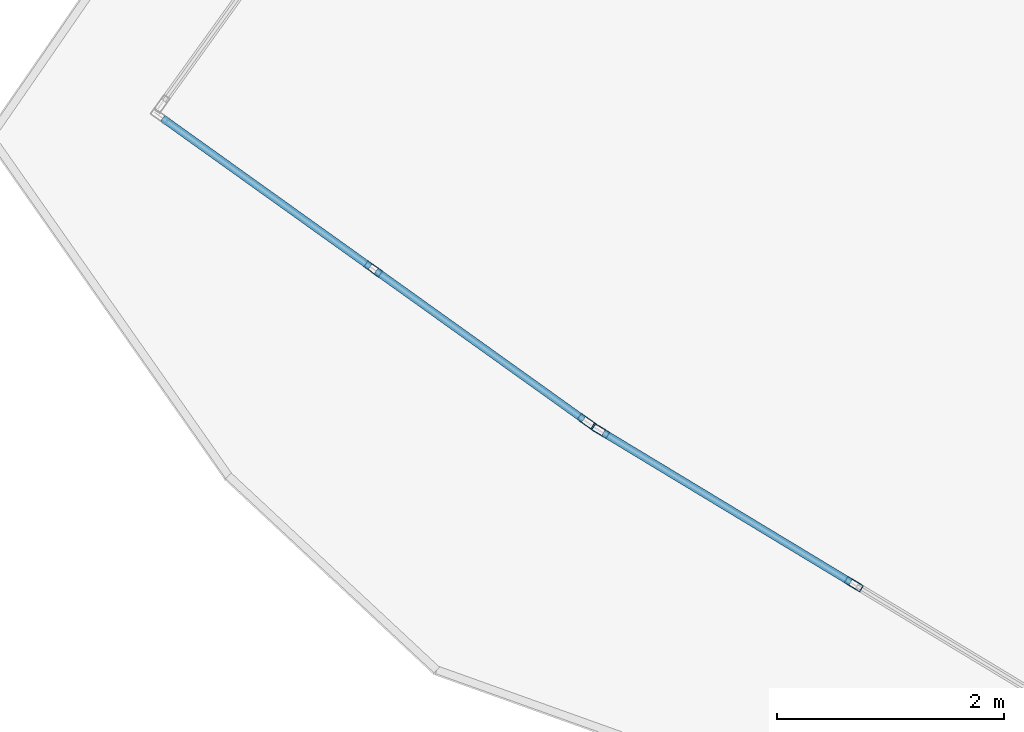
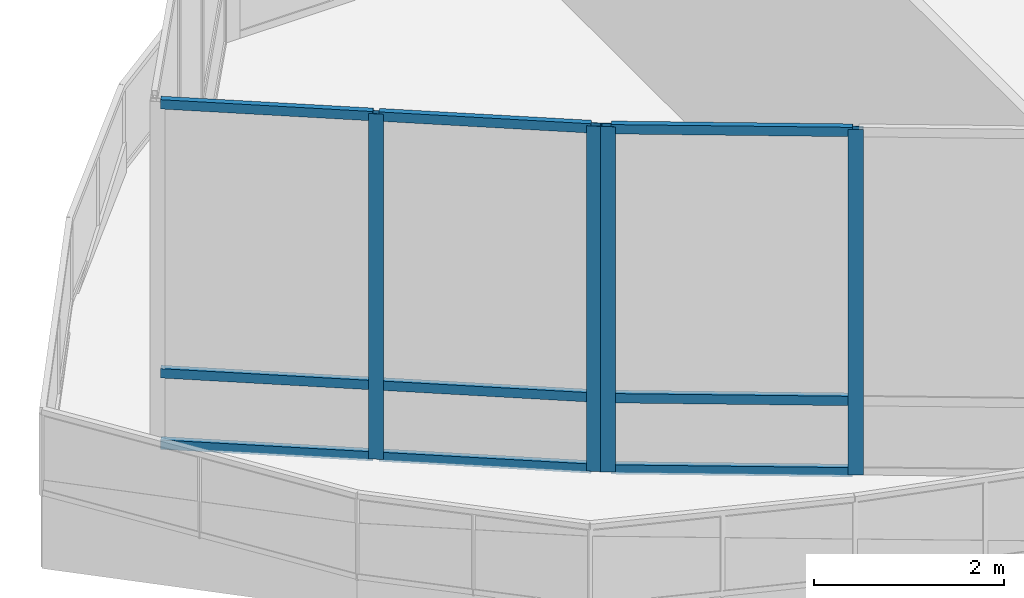
# One storey, part 13 of 168: 13 members, 2 elements without a shape of their own.
"""IFC4 building model written with IfcOpenShell, lengths in metres."""

from ifc_helpers import new_model, si_unit, direction, frame, origin, origin_2d, place, context, subcontext, project, spatial, hollow_rectangle, extrude, material, material_profile, profile_set, type_object, element, aggregate, save


model = new_model("IFC4")

# Units and contexts
model_context = context("Model", 3, precision=1e-05, world=origin(), true_north=direction((0.0, 1.0)))
body_context = subcontext(model_context, "Body", "Model", "MODEL_VIEW")
ifc_project = project(units=[si_unit("LENGTHUNIT", "METRE"), si_unit("AREAUNIT", "SQUARE_METRE"), si_unit("VOLUMEUNIT", "CUBIC_METRE"), si_unit("PLANEANGLEUNIT", "RADIAN"), si_unit("MASSUNIT", "GRAM", prefix="KILO")], contexts=[model_context])

# Site, building, storey
site_placement = place(None, origin())
site = spatial("IfcSite", under=ifc_project, at=site_placement, CompositionType="ELEMENT")
building_placement = place(site_placement, origin())
building = spatial("IfcBuilding", under=site, at=building_placement, Name="Selatvlak General Hospital", CompositionType="ELEMENT")
storey_placement = place(building_placement, frame((0.0, 0.0, 5.39990234375)))
storey = spatial("IfcBuildingStorey", under=building, at=storey_placement, Name="L01", CompositionType="ELEMENT", Elevation=5.39990234375)

# Curtain wall, members
ifc_material_1 = material(Name="Solar-control Low-E double glazing", Category="glass")
curtain_wall_type_1 = type_object("IfcCurtainWallType", Name="CW-CW-02", PredefinedType="USERDEFINED", material=ifc_material_1)
curtain_wall_1_placement = place(storey_placement, origin())
curtain_wall_1 = element("IfcCurtainWall", 1, at=curtain_wall_1_placement, inside=storey, type_object=curtain_wall_type_1, Name="Glazed facade curtain wall CW-L01-0182", ObjectType="UNITISED CURTAIN WALL", PredefinedType="USERDEFINED")
ifc_material_2 = material(Name="Dark anodised aluminium mullion", Category="aluminium")
ifc_material_profile_1 = material_profile(ifc_material_2, hollow_rectangle(XDim=0.06494140625, YDim=0.159912109375, WallThickness=0.00390625, at=origin_2d()), Name="AL-MUL 65x160x4")
ifc_profile_set_1 = profile_set([ifc_material_profile_1], Name="Dark anodised aluminium mullion")
member_type_1 = type_object("IfcMemberType", Name="CWM-01", PredefinedType="MULLION", material=ifc_profile_set_1)
member_1_placement = place(storey_placement, frame((21.075439453125, 21.799072265625, 0.0), z_axis=(0.0, 0.0, 1.0), x_axis=(-0.517412897815, -0.855735878163, 0.0)))
member_1 = element("IfcMember", 2, at=member_1_placement, type_object=member_type_1, Name="CW-02 mullion 2", PredefinedType="MULLION", context=body_context, shape_type="SweptSolid", body=[
    extrude(hollow_rectangle(XDim=0.06494140625, YDim=0.159912109375, WallThickness=0.00390625, at=origin_2d()), origin(), (0.0, 0.0, 1.0), 4.445068359375),
])
member_2_placement = place(storey_placement, frame((18.8408203125, 23.150146484375, 0.0), z_axis=(0.0, 0.0, 1.0), x_axis=(-0.517412897815, -0.855735878163, 0.0)))
member_2 = element("IfcMember", 3, at=member_2_placement, type_object=member_type_1, Name="CW-02 mullion 3", PredefinedType="MULLION", context=body_context, shape_type="SweptSolid", body=[
    extrude(hollow_rectangle(XDim=0.06494140625, YDim=0.159912109375, WallThickness=0.00390625, at=origin_2d()), origin(), (0.0, 0.0, 1.0), 4.445068359375),
])

curtain_wall_type_2 = type_object("IfcCurtainWallType", Name="CW-CW-01", PredefinedType="USERDEFINED", material=ifc_material_1)
curtain_wall_2_placement = place(storey_placement, origin())
curtain_wall_2 = element("IfcCurtainWall", 4, at=curtain_wall_2_placement, inside=storey, type_object=curtain_wall_type_2, Name="Glazed facade curtain wall CW-L01-0183", ObjectType="UNITISED CURTAIN WALL", PredefinedType="USERDEFINED")
member_3_placement = place(storey_placement, frame((18.720458984375, 23.23193359375, 0.0), z_axis=(0.0, 0.0, 1.0), x_axis=(-0.581802726189, -0.813329937847, 0.0)))
member_3 = element("IfcMember", 5, at=member_3_placement, type_object=member_type_1, Name="CW-01 mullion 1", PredefinedType="MULLION", context=body_context, shape_type="SweptSolid", body=[
    extrude(hollow_rectangle(XDim=0.06494140625, YDim=0.159912109375, WallThickness=0.00390625, at=origin_2d()), origin(), (0.0, 0.0, 1.0), 4.445068359375),
])
member_4_placement = place(storey_placement, frame((16.839599609375, 24.577392578125, 0.0), z_axis=(0.0, 0.0, 1.0), x_axis=(-0.581802726189, -0.813329937847, 0.0)))
member_4 = element("IfcMember", 6, at=member_4_placement, type_object=member_type_1, Name="CW-01 mullion 2", PredefinedType="MULLION", context=body_context, shape_type="SweptSolid", body=[
    extrude(hollow_rectangle(XDim=0.06494140625, YDim=0.159912109375, WallThickness=0.00390625, at=origin_2d()), origin(), (0.0, 0.0, 1.0), 4.445068359375),
])

# Member
ifc_material_profile_2 = material_profile(ifc_material_2, hollow_rectangle(XDim=0.06494140625, YDim=0.1201171875, WallThickness=0.00390625, at=origin_2d()), Name="AL-TRN 65x120x4")
ifc_profile_set_2 = profile_set([ifc_material_profile_2], Name="Dark anodised aluminium mullion")
member_type_2 = type_object("IfcMemberType", Name="CWT-01", PredefinedType="USERDEFINED", material=ifc_profile_set_2)
member_5_placement = place(storey_placement, frame((21.047607421875, 21.81591796875, 0.03271484375), z_axis=(-0.855753703596, 0.517383415642, 0.0), x_axis=(-0.517383415642, -0.855753703596, 0.0)))
member_5 = element("IfcMember", 7, at=member_5_placement, type_object=member_type_2, Name="CW-02 transom 2.1", ObjectType="TRANSOM", PredefinedType="USERDEFINED", context=body_context, shape_type="SweptSolid", body=[
    extrude(hollow_rectangle(XDim=0.06494140625, YDim=0.1201171875, WallThickness=0.00390625, at=origin_2d()), origin(), (0.0, 0.0, 1.0), 2.546142578125),
])

member_6_placement = place(storey_placement, frame((21.047607421875, 21.81591796875, 0.9501953125), z_axis=(-0.855753703596, 0.517383415642, 0.0), x_axis=(-0.517383415642, -0.855753703596, 0.0)))
member_6 = element("IfcMember", 8, at=member_6_placement, type_object=member_type_2, Name="CW-02 transom 2.2", ObjectType="TRANSOM", PredefinedType="USERDEFINED", context=body_context, shape_type="SweptSolid", body=[
    extrude(hollow_rectangle(XDim=0.06494140625, YDim=0.1201171875, WallThickness=0.00390625, at=origin_2d()), origin(), (0.0, 0.0, 1.0), 2.546142578125),
])

member_7_placement = place(storey_placement, frame((21.047607421875, 21.81591796875, 4.41259765625), z_axis=(-0.855753703596, 0.517383415642, 0.0), x_axis=(-0.517383415642, -0.855753703596, 0.0)))
member_7 = element("IfcMember", 9, at=member_7_placement, type_object=member_type_2, Name="CW-02 transom 2.3", ObjectType="TRANSOM", PredefinedType="USERDEFINED", context=body_context, shape_type="SweptSolid", body=[
    extrude(hollow_rectangle(XDim=0.06494140625, YDim=0.1201171875, WallThickness=0.00390625, at=origin_2d()), origin(), (0.0, 0.0, 1.0), 2.546142578125),
])

aggregate(curtain_wall_1, [member_1, member_2, member_5, member_6, member_7])

member_8_placement = place(storey_placement, frame((18.694091796875, 23.250732421875, 0.03271484375), z_axis=(-0.81330025791, 0.581844214961, 0.0), x_axis=(-0.581844214961, -0.81330025791, 0.0)))
member_8 = element("IfcMember", 10, at=member_8_placement, type_object=member_type_2, Name="CW-01 transom 1.1", ObjectType="TRANSOM", PredefinedType="USERDEFINED", context=body_context, shape_type="SweptSolid", body=[
    extrude(hollow_rectangle(XDim=0.06494140625, YDim=0.1201171875, WallThickness=0.00390625, at=origin_2d()), origin(), (0.0, 0.0, 1.0), 2.247802734375),
])

member_9_placement = place(storey_placement, frame((18.694091796875, 23.250732421875, 0.9501953125), z_axis=(-0.81330025791, 0.581844214961, 0.0), x_axis=(-0.581844214961, -0.81330025791, 0.0)))
member_9 = element("IfcMember", 11, at=member_9_placement, type_object=member_type_2, Name="CW-01 transom 1.2", ObjectType="TRANSOM", PredefinedType="USERDEFINED", context=body_context, shape_type="SweptSolid", body=[
    extrude(hollow_rectangle(XDim=0.06494140625, YDim=0.1201171875, WallThickness=0.00390625, at=origin_2d()), origin(), (0.0, 0.0, 1.0), 2.247802734375),
])

member_10_placement = place(storey_placement, frame((18.694091796875, 23.250732421875, 4.41259765625), z_axis=(-0.81330025791, 0.581844214961, 0.0), x_axis=(-0.581844214961, -0.81330025791, 0.0)))
member_10 = element("IfcMember", 12, at=member_10_placement, type_object=member_type_2, Name="CW-01 transom 1.3", ObjectType="TRANSOM", PredefinedType="USERDEFINED", context=body_context, shape_type="SweptSolid", body=[
    extrude(hollow_rectangle(XDim=0.06494140625, YDim=0.1201171875, WallThickness=0.00390625, at=origin_2d()), origin(), (0.0, 0.0, 1.0), 2.247802734375),
])

member_11_placement = place(storey_placement, frame((16.81298828125, 24.596435546875, 0.03271484375), z_axis=(-0.81330025791, 0.581844214961, 0.0), x_axis=(-0.581844214961, -0.81330025791, 0.0)))
member_11 = element("IfcMember", 13, at=member_11_placement, type_object=member_type_2, Name="CW-01 transom 2.1", ObjectType="TRANSOM", PredefinedType="USERDEFINED", context=body_context, shape_type="SweptSolid", body=[
    extrude(hollow_rectangle(XDim=0.06494140625, YDim=0.1201171875, WallThickness=0.00390625, at=origin_2d()), origin(), (0.0, 0.0, 1.0), 2.247802734375),
])

member_12_placement = place(storey_placement, frame((16.81298828125, 24.596435546875, 0.9501953125), z_axis=(-0.81330025791, 0.581844214961, 0.0), x_axis=(-0.581844214961, -0.81330025791, 0.0)))
member_12 = element("IfcMember", 14, at=member_12_placement, type_object=member_type_2, Name="CW-01 transom 2.2", ObjectType="TRANSOM", PredefinedType="USERDEFINED", context=body_context, shape_type="SweptSolid", body=[
    extrude(hollow_rectangle(XDim=0.06494140625, YDim=0.1201171875, WallThickness=0.00390625, at=origin_2d()), origin(), (0.0, 0.0, 1.0), 2.247802734375),
])

member_13_placement = place(storey_placement, frame((16.81298828125, 24.596435546875, 4.41259765625), z_axis=(-0.81330025791, 0.581844214961, 0.0), x_axis=(-0.581844214961, -0.81330025791, 0.0)))
member_13 = element("IfcMember", 15, at=member_13_placement, type_object=member_type_2, Name="CW-01 transom 2.3", ObjectType="TRANSOM", PredefinedType="USERDEFINED", context=body_context, shape_type="SweptSolid", body=[
    extrude(hollow_rectangle(XDim=0.06494140625, YDim=0.1201171875, WallThickness=0.00390625, at=origin_2d()), origin(), (0.0, 0.0, 1.0), 2.247802734375),
])

aggregate(curtain_wall_2, [member_3, member_4, member_8, member_9, member_10, member_11, member_12, member_13])

save(model, "model.ifc")
